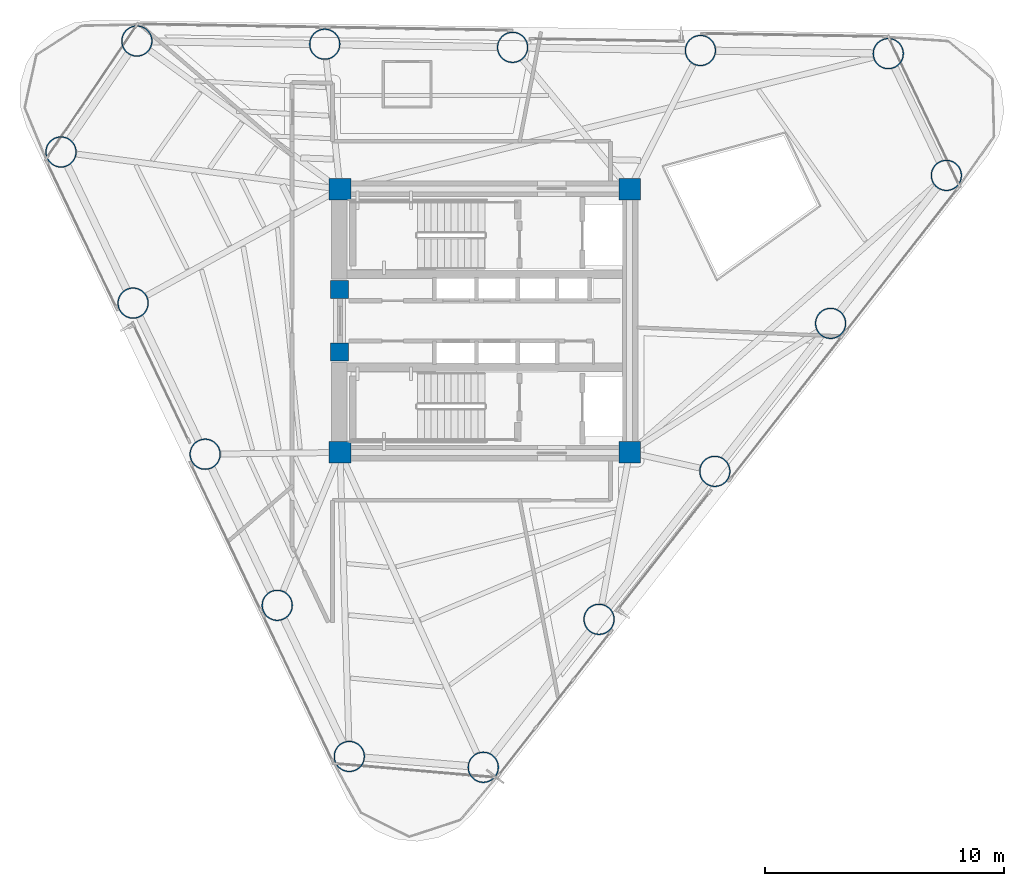
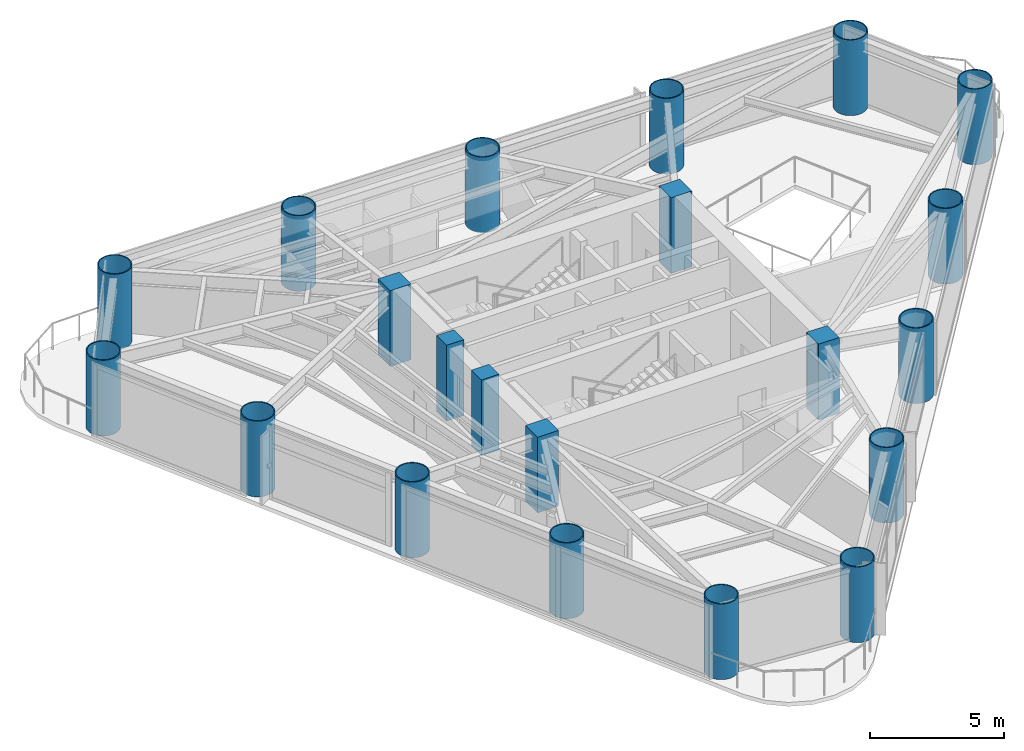
# One storey, part 1 of 10: 21 columns.
"""IFC4 building model written with IfcOpenShell, lengths in metres."""

from ifc_helpers import new_model, si_unit, direction, frame, origin, origin_2d, place, context, subcontext, project, spatial, rectangle, hollow_circle, extrude, source, transform, mapped, material, material_profile, profile_set, type_object, element, save


model = new_model("IFC4")

# Units and contexts
model_context = context("Model", 3, precision=1e-05, world=origin(), true_north=direction((0.0, 1.0)))
body_context = subcontext(model_context, "Body", "Model", "MODEL_VIEW")
ifc_project = project(units=[si_unit("LENGTHUNIT", "METRE"), si_unit("AREAUNIT", "SQUARE_METRE"), si_unit("VOLUMEUNIT", "CUBIC_METRE"), si_unit("PLANEANGLEUNIT", "RADIAN"), si_unit("MASSUNIT", "GRAM", prefix="KILO")], contexts=[model_context])

# Site, building, storey
site_placement = place(None, origin())
site = spatial("IfcSite", under=ifc_project, at=site_placement, CompositionType="ELEMENT")
building_placement = place(site_placement, origin())
building = spatial("IfcBuilding", under=site, at=building_placement, Name="Yunling Apex Tower", CompositionType="ELEMENT")
storey_placement = place(building_placement, frame((0.0, 0.0, 146.75)))
storey = spatial("IfcBuildingStorey", under=building, at=storey_placement, Name="L36", CompositionType="ELEMENT", Elevation=146.75)

# Columns
ifc_material_1 = material(Name="Concrete C60", Category="concrete")
ifc_material_profile_1 = material_profile(ifc_material_1, rectangle(XDim=0.89990234375, YDim=0.89990234375, at=origin_2d()))
ifc_profile_set_1 = profile_set([ifc_material_profile_1], Name="Concrete C60")
column_type_1 = type_object("IfcColumnType", Name="PC-SRC-3", PredefinedType="COLUMN", material=ifc_profile_set_1)
shared_shape_1 = source(origin(), body_context, "Body", "SweptSolid", [
    extrude(rectangle(XDim=0.89990234375, YDim=0.89990234375, at=origin_2d()), origin(), (0.0, 0.0, 1.0), 3.449951171875),
])
for number, where, z_axis, x_axis, name in (
    (1, (-6.050048828125, -5.5, 0.0), (0.0, 0.0, 1.0), (1.0, 0.0, 0.0), "L36 Core Spine Column CC-SW"),
    (2, (6.050048828125, -5.5, 0.0), (0.0, 0.0, 1.0), (1.0, 0.0, 0.0), "L36 Core Spine Column CC-SE"),
    (3, (6.050048828125, 5.5, 0.0), (0.0, 0.0, 1.0), (1.0, 0.0, 0.0), "L36 Core Spine Column CC-NE"),
    (4, (-6.050048828125, 5.5, 0.0), (0.0, 0.0, 1.0), (1.0, 0.0, 0.0), "L36 Core Spine Column CC-NW"),
):
    element("IfcColumn", number, at=place(storey_placement, frame(where, z_axis=z_axis, x_axis=x_axis)), inside=storey, type_object=column_type_1, Name=name, PredefinedType="COLUMN", context=body_context, shape_type="MappedRepresentation", body=[
        mapped(shared_shape_1, transform((0.0, 0.0, 0.0), scale=1.0)),
    ])
ifc_material_2 = material(Name="Concrete C50", Category="concrete")
ifc_material_profile_2 = material_profile(ifc_material_2, rectangle(XDim=0.75, YDim=0.75, at=origin_2d()))
ifc_profile_set_2 = profile_set([ifc_material_profile_2], Name="Concrete C50")
column_type_2 = type_object("IfcColumnType", Name="PC-SRC-4", PredefinedType="COLUMN", material=ifc_profile_set_2)
shared_shape_2 = source(origin(), body_context, "Body", "SweptSolid", [
    extrude(rectangle(XDim=0.75, YDim=0.75, at=origin_2d()), origin(), (0.0, 0.0, 1.0), 3.449951171875),
])
for number, where, z_axis, x_axis, name in (
    (5, (-6.074951171875, -1.300048828125, 0.0), (0.0, 0.0, 1.0), (1.0, 0.0, 0.0), "L36 Core West Portal Jamb Column S"),
    (6, (-6.074951171875, 1.300048828125, 0.0), (0.0, 0.0, 1.0), (1.0, 0.0, 0.0), "L36 Core West Portal Jamb Column N"),
):
    element("IfcColumn", number, at=place(storey_placement, frame(where, z_axis=z_axis, x_axis=x_axis)), inside=storey, type_object=column_type_2, Name=name, PredefinedType="COLUMN", context=body_context, shape_type="MappedRepresentation", body=[
        mapped(shared_shape_2, transform((0.0, 0.0, 0.0), scale=1.0)),
    ])
ifc_material_3 = material(Name="Steel Q390GJC", Category="steel")
ifc_material_profile_3 = material_profile(ifc_material_3, hollow_circle(Radius=0.64990234375, WallThickness=0.044921875, at=origin_2d()))
ifc_profile_set_3 = profile_set([ifc_material_profile_3], Name="Steel Q390GJC")
column_type_3 = type_object("IfcColumnType", Name="MC-CFST-3", PredefinedType="COLUMN", material=ifc_profile_set_3)
shared_shape_3 = source(origin(), body_context, "Body", "SweptSolid", [
    extrude(hollow_circle(Radius=0.64990234375, WallThickness=0.044921875, at=origin_2d()), origin(), (0.0, 0.0, 1.0), 3.449951171875),
])
for number, where, z_axis, x_axis, name in (
    (7, (-0.06396484375, -18.654541015625, 0.0), (0.0, 0.0, 1.0), (1.0, 0.0, 0.0), "L36 Perimeter CFST Mega-Column P01"),
    (8, (4.773193359375, -12.471923828125, 0.0), (0.0, 0.0, 1.0), (1.0, 0.0, 0.0), "L36 Perimeter CFST Mega-Column P02"),
    (9, (9.610595703125, -6.289306640625, 0.0), (0.0, 0.0, 1.0), (1.0, 0.0, 0.0), "L36 Perimeter CFST Mega-Column P03"),
    (10, (14.447998046875, -0.106689453125, 0.0), (0.0, 0.0, 1.0), (1.0, 0.0, 0.0), "L36 Perimeter CFST Mega-Column P04"),
    (11, (19.28515625, 6.075927734375, 0.0), (0.0, 0.0, 1.0), (1.0, 0.0, 0.0), "L36 Perimeter CFST Mega-Column P05"),
    (12, (16.8583984375, 11.163818359375, 0.0), (0.0, 0.0, 1.0), (1.0, 0.0, 0.0), "L36 Perimeter CFST Mega-Column P06"),
    (13, (9.009521484375, 11.295166015625, 0.0), (0.0, 0.0, 1.0), (1.0, 0.0, 0.0), "L36 Perimeter CFST Mega-Column P07"),
    (14, (1.160400390625, 11.4267578125, 0.0), (0.0, 0.0, 1.0), (1.0, 0.0, 0.0), "L36 Perimeter CFST Mega-Column P08"),
    (15, (-6.6884765625, 11.558349609375, 0.0), (0.0, 0.0, 1.0), (1.0, 0.0, 0.0), "L36 Perimeter CFST Mega-Column P09"),
    (16, (-14.53759765625, 11.68994140625, 0.0), (0.0, 0.0, 1.0), (1.0, 0.0, 0.0), "L36 Perimeter CFST Mega-Column P10"),
    (17, (-17.70849609375, 7.0546875, 0.0), (0.0, 0.0, 1.0), (1.0, 0.0, 0.0), "L36 Perimeter CFST Mega-Column P11"),
    (18, (-14.69677734375, 0.740478515625, 0.0), (0.0, 0.0, 1.0), (1.0, 0.0, 0.0), "L36 Perimeter CFST Mega-Column P12"),
    (19, (-11.685302734375, -5.573486328125, 0.0), (0.0, 0.0, 1.0), (1.0, 0.0, 0.0), "L36 Perimeter CFST Mega-Column P13"),
    (20, (-8.673583984375, -11.8876953125, 0.0), (0.0, 0.0, 1.0), (1.0, 0.0, 0.0), "L36 Perimeter CFST Mega-Column P14"),
    (21, (-5.661865234375, -18.201904296875, 0.0), (0.0, 0.0, 1.0), (1.0, 0.0, 0.0), "L36 Perimeter CFST Mega-Column P15"),
):
    element("IfcColumn", number, at=place(storey_placement, frame(where, z_axis=z_axis, x_axis=x_axis)), inside=storey, type_object=column_type_3, Name=name, PredefinedType="COLUMN", context=body_context, shape_type="MappedRepresentation", body=[
        mapped(shared_shape_3, transform((0.0, 0.0, 0.0), scale=1.0)),
    ])

save(model, "model.ifc")
